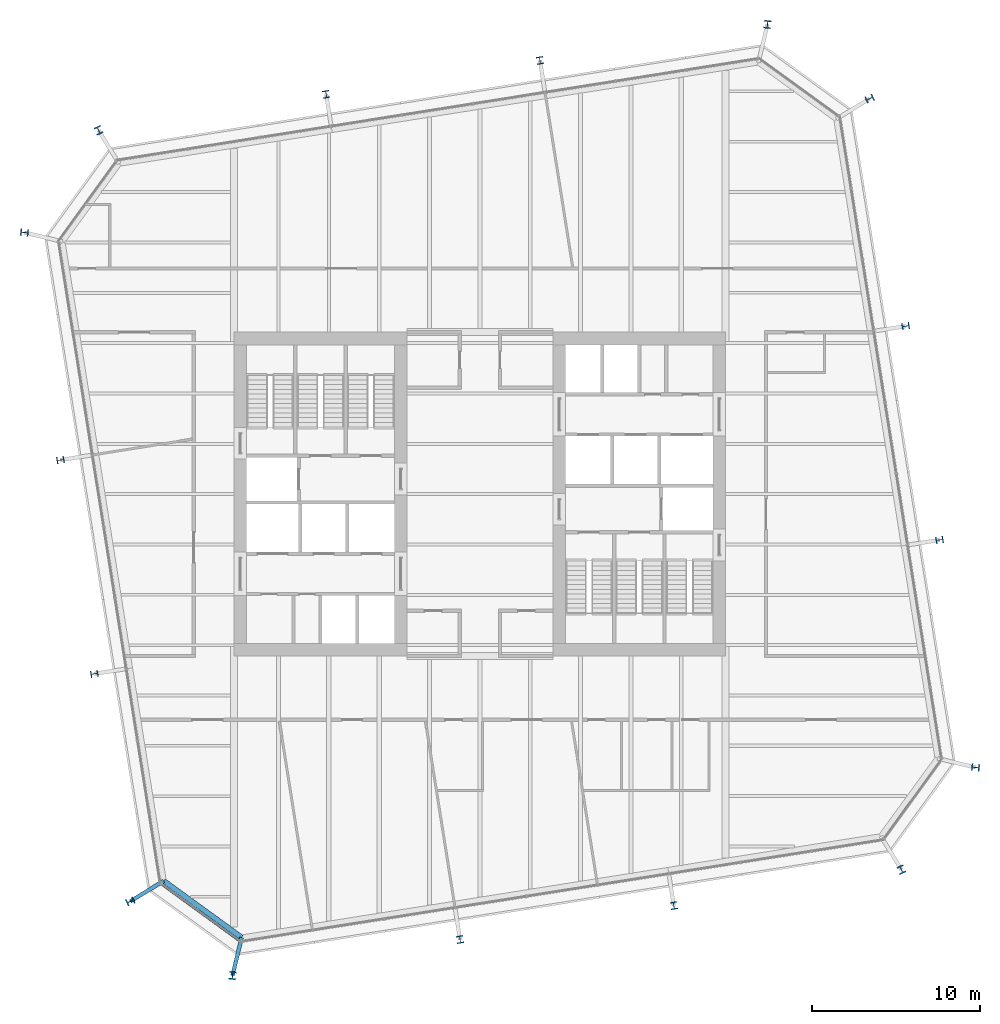
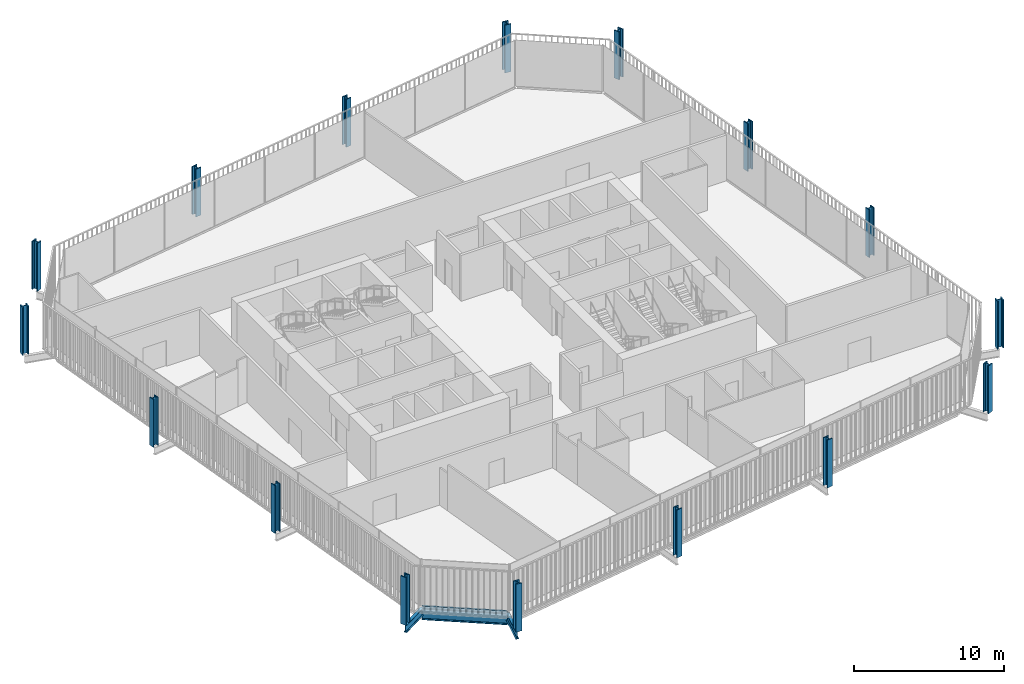
# One storey, part 1 of 21: 16 columns, 3 beams, 1 member, 1 element without a shape of its own.
"""IFC4 building model written with IfcOpenShell, lengths in metres."""

from ifc_helpers import new_model, si_unit, direction, frame, origin, origin_2d, place, context, subcontext, project, spatial, rectangle, i_section, extrude, material, layer, layer_set, material_profile, profile_set, type_object, element, aggregate, save


model = new_model("IFC4")

# Units and contexts
model_context = context("Model", 3, precision=1e-05, world=origin(), true_north=direction((0.0, 1.0)))
body_context = subcontext(model_context, "Body", "Model", "MODEL_VIEW")
ifc_project = project(units=[si_unit("LENGTHUNIT", "METRE"), si_unit("AREAUNIT", "SQUARE_METRE"), si_unit("VOLUMEUNIT", "CUBIC_METRE"), si_unit("PLANEANGLEUNIT", "RADIAN"), si_unit("MASSUNIT", "GRAM", prefix="KILO")], contexts=[model_context])

# Site, building, storey
site_placement = place(None, origin())
site = spatial("IfcSite", under=ifc_project, at=site_placement, CompositionType="ELEMENT")
building_placement = place(site_placement, origin())
building = spatial("IfcBuilding", under=site, at=building_placement, Name="Millrace Tower", CompositionType="ELEMENT")
storey_placement = place(building_placement, frame((0.0, 0.0, 141.199951171875)))
storey = spatial("IfcBuildingStorey", under=building, at=storey_placement, Name="L31", CompositionType="ELEMENT", Elevation=141.199951171875)

# Columns
ifc_material_1 = material(Name="Steel ASTM A913 Grade 65", Category="steel")
ifc_material_profile_1 = material_profile(ifc_material_1, i_section(OverallWidth=0.419189453125, OverallDepth=0.45458984375, WebThickness=0.042236328125, FlangeThickness=0.067626953125, FilletRadius=0.01513671875, at=origin_2d()))
ifc_profile_set_1 = profile_set([ifc_material_profile_1], Name="Steel ASTM A913 Grade 65")
column_type_1 = type_object("IfcColumnType", Name="Exoskeleton column W14x370", PredefinedType="COLUMN", material=ifc_profile_set_1)
for number, where, z_axis, x_axis, name in (
    (1, (-1.181396484375, -26.545166015625, 0.0), (0.0, 0.0, 1.0), (0.987688339156, 0.156434474125, 0.0), "COL-C-L31-X03"),
    (2, (11.5595703125, -24.527099609375, 0.0), (0.0, 0.0, 1.0), (0.987688338239, 0.156434479917, 0.0), "COL-C-L31-X04"),
    (3, (27.39501953125, -2.7314453125, 0.0), (0.0, 0.0, 1.0), (-0.156434474125, 0.987688339156, 0.0), "COL-C-L31-X07"),
    (4, (25.376953125, 10.009765625, 0.0), (0.0, 0.0, 1.0), (-0.156434479917, 0.987688338239, 0.0), "COL-C-L31-X08"),
    (5, (3.58154296875, 25.844970703125, 0.0), (0.0, 0.0, 1.0), (-0.987688339156, -0.156434474125, 0.0), "COL-C-L31-X11"),
    (6, (-9.15966796875, 23.8271484375, 0.0), (0.0, 0.0, 1.0), (-0.987688338239, -0.156434479917, 0.0), "COL-C-L31-X12"),
    (7, (-24.9951171875, 2.031494140625, 0.0), (0.0, 0.0, 1.0), (0.156434474125, -0.987688339156, 0.0), "COL-C-L31-X15"),
    (8, (-22.97705078125, -10.709716796875, 0.0), (0.0, 0.0, 1.0), (0.156434479917, -0.987688338239, 0.0), "COL-C-L31-X16"),
):
    element("IfcColumn", number, at=place(storey_placement, frame(where, z_axis=z_axis, x_axis=x_axis)), inside=storey, type_object=column_type_1, Name=name, PredefinedType="COLUMN", context=body_context, shape_type="SweptSolid", body=[
        extrude(i_section(OverallWidth=0.419189453125, OverallDepth=0.45458984375, WebThickness=0.042236328125, FlangeThickness=0.067626953125, FilletRadius=0.01513671875, at=origin_2d()), origin(), (0.0, 0.0, 1.0), 3.900146484375),
    ])
ifc_material_2 = material(Name="Steel ASTM A913 Grade 65", Category="steel")
ifc_material_profile_2 = material_profile(ifc_material_2, i_section(OverallWidth=0.4267578125, OverallDepth=0.482666015625, WebThickness=0.05126953125, FlangeThickness=0.08154296875, FilletRadius=0.01513671875, at=origin_2d()))
ifc_profile_set_2 = profile_set([ifc_material_profile_2], Name="Steel ASTM A913 Grade 65")
column_type_2 = type_object("IfcColumnType", Name="Exoskeleton column W14x455", PredefinedType="COLUMN", material=ifc_profile_set_2)
for number, where, z_axis, x_axis, name in (
    (9, (-20.829345703125, -24.26904296875, 0.0), (0.0, 0.0, 1.0), (0.416401106568, -0.909181015227, 0.0), "COL-C-L31-X01"),
    (10, (-14.740966796875, -28.692626953125, 0.0), (0.0, 0.0, 1.0), (0.993357548409, -0.115068592665, 0.0), "COL-C-L31-X02"),
    (11, (25.119140625, -22.37939453125, 0.0), (0.0, 0.0, 1.0), (0.909181015227, 0.416401106568, 0.0), "COL-C-L31-X05"),
    (12, (29.542724609375, -16.291015625, 0.0), (0.0, 0.0, 1.0), (0.115068592665, 0.993357548409, 0.0), "COL-C-L31-X06"),
    (13, (23.2294921875, 23.569091796875, 0.0), (0.0, 0.0, 1.0), (-0.416401106568, 0.909181015227, 0.0), "COL-C-L31-X09"),
    (14, (17.140869140625, 27.99267578125, 0.0), (0.0, 0.0, 1.0), (-0.993357548409, 0.115068592665, 0.0), "COL-C-L31-X10"),
    (15, (-22.718994140625, 21.679443359375, 0.0), (0.0, 0.0, 1.0), (-0.909181015227, -0.416401106568, 0.0), "COL-C-L31-X13"),
    (16, (-27.142578125, 15.5908203125, 0.0), (0.0, 0.0, 1.0), (-0.115068592665, -0.993357548409, 0.0), "COL-C-L31-X14"),
):
    element("IfcColumn", number, at=place(storey_placement, frame(where, z_axis=z_axis, x_axis=x_axis)), inside=storey, type_object=column_type_2, Name=name, PredefinedType="COLUMN", context=body_context, shape_type="SweptSolid", body=[
        extrude(i_section(OverallWidth=0.4267578125, OverallDepth=0.482666015625, WebThickness=0.05126953125, FlangeThickness=0.08154296875, FilletRadius=0.01513671875, at=origin_2d()), origin(), (0.0, 0.0, 1.0), 3.900146484375),
    ])

# Curtain wall, member
ifc_material_3 = material(Name="Aluminium and glass", Category="aluminium")
ifc_layer = layer(ifc_material_3, 0.14990234375)
ifc_layer_set = layer_set([ifc_layer], Name="Aluminium and glass")
curtain_wall_type = type_object("IfcCurtainWallType", Name="CW-1 office vision curtain wall", PredefinedType="NOTDEFINED", material=ifc_layer_set)
curtain_wall_placement = place(storey_placement, origin())
curtain_wall = element("IfcCurtainWall", 17, at=curtain_wall_placement, inside=storey, type_object=curtain_wall_type, Name="Curtain wall C-F01 L31", PredefinedType="NOTDEFINED")
ifc_material_4 = material(Name="Aluminium", Category="aluminium")
ifc_material_profile_3 = material_profile(ifc_material_4, rectangle(XDim=0.14990234375, YDim=0.139892578125, at=origin_2d()))
ifc_profile_set_3 = profile_set([ifc_material_profile_3], Name="Aluminium")
member_type = type_object("IfcMemberType", Name="CW-1 office vision curtain wall transom", PredefinedType="USERDEFINED", material=ifc_profile_set_3)
member_placement = place(storey_placement, frame((-18.94677734375, -23.25732421875, 0.070068359375), z_axis=(0.808998591139, -0.587810581339, 0.0), x_axis=(0.587810581339, 0.808998591139, 0.0)))
member = element("IfcMember", 18, at=member_placement, type_object=member_type, Name="CW1 transom C-F01.1", ObjectType="TRANSOM", PredefinedType="USERDEFINED", context=body_context, shape_type="SweptSolid", body=[
    extrude(rectangle(XDim=0.14990234375, YDim=0.139892578125, at=origin_2d()), origin(), (0.0, 0.0, 1.0), 5.6689453125),
])
aggregate(curtain_wall, [member])

# Beams
ifc_material_5 = material(Name="Steel ASTM A992 Grade 50", Category="steel")
ifc_material_profile_4 = material_profile(ifc_material_5, i_section(OverallWidth=0.23046875, OverallDepth=0.6171875, WebThickness=0.01318359375, FlangeThickness=0.022216796875, FilletRadius=0.012939453125, at=origin_2d()))
ifc_profile_set_4 = profile_set([ifc_material_profile_4], Name="Steel ASTM A992 Grade 50")
beam_type_1 = type_object("IfcBeamType", Name="Link beam W24x94", PredefinedType="BEAM", material=ifc_profile_set_4)
for number, where, z_axis, x_axis, name in (
    (19, (-18.841796875, -23.051025390625, -0.468505859375), (-0.852631355792, -0.522512938711, 0.0), (0.522512938711, -0.852631355792, 0.0), "LNK-C-L31-S1-01"),
    (20, (-14.19677734375, -26.426025390625, -0.468505859375), (-0.233456138164, -0.972367333652, 0.0), (0.972367333652, -0.233456138164, 0.0), "LNK-C-L31-S1-16"),
):
    element("IfcBeam", number, at=place(storey_placement, frame(where, z_axis=z_axis, x_axis=x_axis)), inside=storey, type_object=beam_type_1, Name=name, PredefinedType="BEAM", context=body_context, shape_type="SweptSolid", body=[
        extrude(i_section(OverallWidth=0.23046875, OverallDepth=0.6171875, WebThickness=0.01318359375, FlangeThickness=0.022216796875, FilletRadius=0.012939453125, at=origin_2d()), origin(), (0.0, 0.0, 1.0), 2.3310546875),
    ])
ifc_material_6 = material(Name="Steel ASTM A992 Grade 50", Category="steel")
ifc_material_profile_5 = material_profile(ifc_material_6, i_section(OverallWidth=0.307373046875, OverallDepth=0.927001953125, WebThickness=0.01953125, FlangeThickness=0.031982421875, FilletRadius=0.01904296875, at=origin_2d()))
ifc_profile_set_5 = profile_set([ifc_material_profile_5], Name="Steel ASTM A992 Grade 50")
beam_type_2 = type_object("IfcBeamType", Name="Ring beam short span W36x194", PredefinedType="SPANDREL", material=ifc_profile_set_5)
beam_placement = place(storey_placement, frame((-14.19677734375, -26.426025390625, -0.62353515625), z_axis=(-0.80900078054, 0.587807568074, 0.0), x_axis=(-0.587807568074, -0.80900078054, 0.0)))
element("IfcBeam", 21, at=beam_placement, inside=storey, type_object=beam_type_2, Name="RNG-C-L31-S1-16", PredefinedType="SPANDREL", context=body_context, shape_type="SweptSolid", body=[
    extrude(i_section(OverallWidth=0.307373046875, OverallDepth=0.927001953125, WebThickness=0.01953125, FlangeThickness=0.031982421875, FilletRadius=0.01904296875, at=origin_2d()), origin(), (0.0, 0.0, 1.0), 5.74169921875),
])

save(model, "model.ifc")
